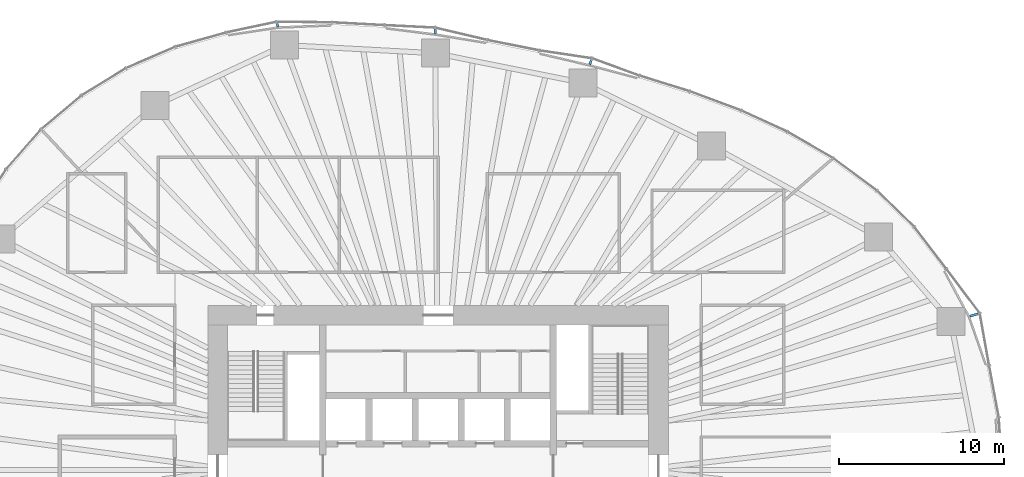
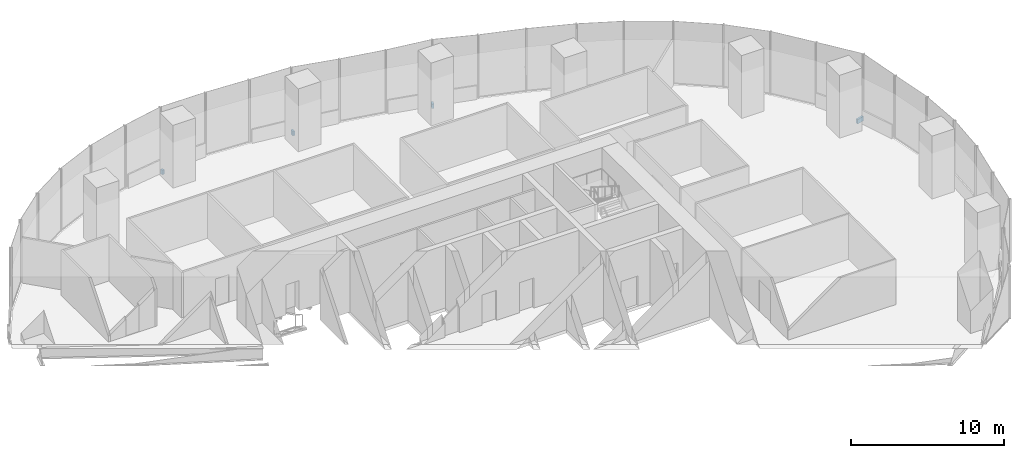
# One storey, part 15 of 20: 4 discrete accessories.
"""IFC4 building model written with IfcOpenShell, lengths in metres."""

from ifc_helpers import new_model, si_unit, direction, frame, origin, origin_2d, place, context, subcontext, project, spatial, rectangle, extrude, material, type_object, element, save


model = new_model("IFC4")

# Units and contexts
model_context = context("Model", 3, precision=1e-05, world=origin(), true_north=direction((0.0, 1.0)))
body_context = subcontext(model_context, "Body", "Model", "MODEL_VIEW")
ifc_project = project(units=[si_unit("LENGTHUNIT", "METRE"), si_unit("AREAUNIT", "SQUARE_METRE"), si_unit("VOLUMEUNIT", "CUBIC_METRE"), si_unit("PLANEANGLEUNIT", "RADIAN"), si_unit("MASSUNIT", "GRAM", prefix="KILO")], contexts=[model_context])

# Site, building, storey
site_placement = place(None, origin())
site = spatial("IfcSite", under=ifc_project, at=site_placement, CompositionType="ELEMENT")
building_placement = place(site_placement, origin())
building = spatial("IfcBuilding", under=site, at=building_placement, Name="Ghaith Harvest Tower", CompositionType="ELEMENT")
storey_placement = place(building_placement, frame((0.0, 0.0, 85.0)))
storey = spatial("IfcBuildingStorey", under=building, at=storey_placement, Name="L17", CompositionType="ELEMENT", Elevation=85.0)

# Discrete accessories
ifc_material_1 = material(Name="Stainless steel grade 1.4401", Category="steel")
discrete_accessory_type_1 = type_object("IfcDiscreteAccessoryType", Name="CURTAIN WALL BRACKET 205", PredefinedType="BRACKET", material=ifc_material_1)
discrete_accessory_1_placement = place(storey_placement, frame((-9.766845703125, 27.04150390625, -0.25), z_axis=(0.0, 0.0, 1.0), x_axis=(-0.339699453402, 0.94053404051, 0.0)))
element("IfcDiscreteAccessory", 1, at=discrete_accessory_1_placement, inside=storey, type_object=discrete_accessory_type_1, Name="CW-F bracket 1 bay 07 L17", PredefinedType="BRACKET", context=body_context, shape_type="SweptSolid", body=[
    extrude(rectangle(XDim=0.205078125, YDim=0.14990234375, at=origin_2d()), origin(), (0.0, 0.0, 1.0), 0.35009765625),
])
ifc_material_2 = material(Name="Stainless steel grade 1.4401", Category="steel")
discrete_accessory_type_2 = type_object("IfcDiscreteAccessoryType", Name="CURTAIN WALL BRACKET 255", PredefinedType="BRACKET", material=ifc_material_2)
discrete_accessory_2_placement = place(storey_placement, frame((-0.182373046875, 26.649658203125, -0.25), z_axis=(0.0, 0.0, 1.0), x_axis=(-0.006843747783, 0.999976581284, 0.0)))
element("IfcDiscreteAccessory", 2, at=discrete_accessory_2_placement, inside=storey, type_object=discrete_accessory_type_2, Name="CW-F bracket 1 bay 06 L17", PredefinedType="BRACKET", context=body_context, shape_type="SweptSolid", body=[
    extrude(rectangle(XDim=0.2548828125, YDim=0.14990234375, at=origin_2d()), origin(), (0.0, 0.0, 1.0), 0.35009765625),
])
ifc_material_3 = material(Name="Stainless steel grade 1.4401", Category="steel")
discrete_accessory_type_3 = type_object("IfcDiscreteAccessoryType", Name="CURTAIN WALL BRACKET 295", PredefinedType="BRACKET", material=ifc_material_3)
discrete_accessory_3_placement = place(storey_placement, frame((9.265380859375, 24.7841796875, -0.25), z_axis=(0.0, 0.0, 1.0), x_axis=(0.35016769709, 0.936687025593, 0.0)))
element("IfcDiscreteAccessory", 3, at=discrete_accessory_3_placement, inside=storey, type_object=discrete_accessory_type_3, Name="CW-F bracket 1 bay 05 L17", PredefinedType="BRACKET", context=body_context, shape_type="SweptSolid", body=[
    extrude(rectangle(XDim=0.294921875, YDim=0.14990234375, at=origin_2d()), origin(), (0.0, 0.0, 1.0), 0.35009765625),
])
ifc_material_4 = material(Name="Stainless steel grade 1.4401", Category="steel")
discrete_accessory_type_4 = type_object("IfcDiscreteAccessoryType", Name="CURTAIN WALL BRACKET 535", PredefinedType="BRACKET", material=ifc_material_4)
discrete_accessory_4_placement = place(storey_placement, frame((32.570556640625, 9.41357421875, -0.25), z_axis=(0.0, 0.0, 1.0), x_axis=(0.960680349985, 0.277656739792, 0.0)))
element("IfcDiscreteAccessory", 4, at=discrete_accessory_4_placement, inside=storey, type_object=discrete_accessory_type_4, Name="CW-F bracket 1 bay 02 L17", PredefinedType="BRACKET", context=body_context, shape_type="SweptSolid", body=[
    extrude(rectangle(XDim=0.534912109375, YDim=0.14990234375, at=origin_2d()), origin(), (0.0, 0.0, 1.0), 0.35009765625),
])

save(model, "model.ifc")
